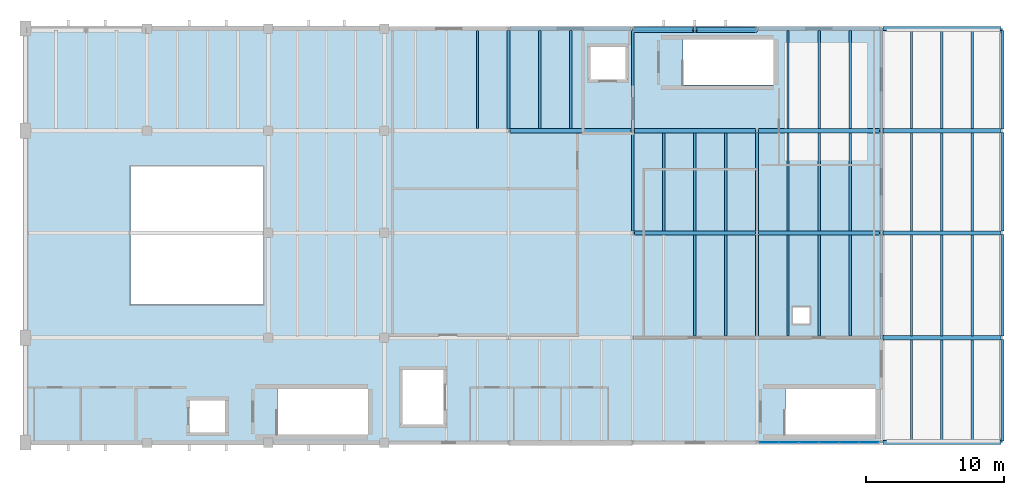
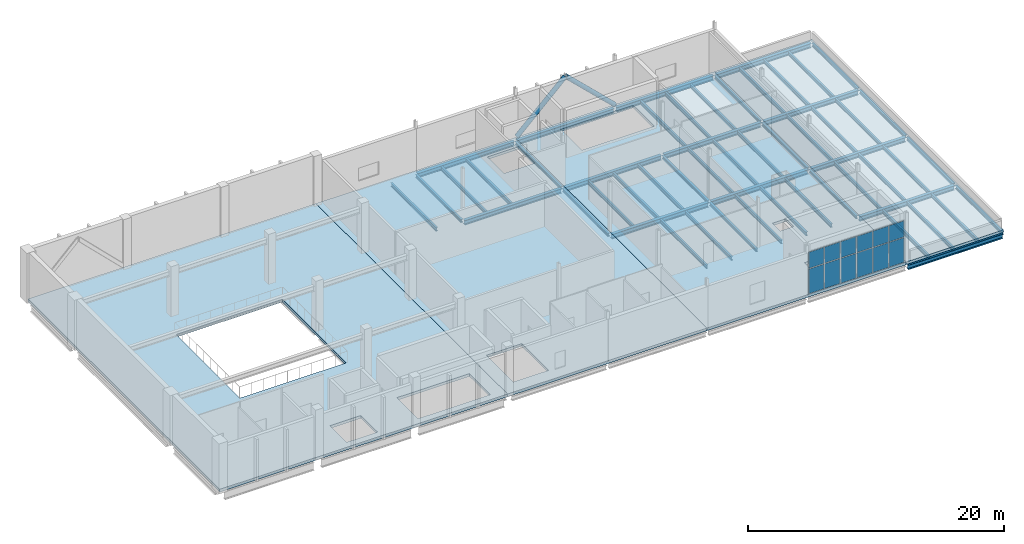
# One storey, part 8 of 14: 54 beams, 12 plates, 4 slabs, 2 members, 1 element without a shape of its own.
"""IFC4 building model written with IfcOpenShell, lengths in metres."""

from ifc_helpers import new_model, si_unit, direction, frame, origin, origin_2d, place, context, subcontext, project, spatial, polyline, rectangle, hollow_circle, i_section, outline, extrude, material, layer, layer_set, material_profile, profile_set, type_object, element, aggregate, save


model = new_model("IFC4")

# Units and contexts
model_context = context("Model", 3, precision=1e-05, world=origin(), true_north=direction((0.0, 1.0)))
body_context = subcontext(model_context, "Body", "Model", "MODEL_VIEW")
ifc_project = project(units=[si_unit("LENGTHUNIT", "METRE"), si_unit("AREAUNIT", "SQUARE_METRE"), si_unit("VOLUMEUNIT", "CUBIC_METRE"), si_unit("PLANEANGLEUNIT", "RADIAN"), si_unit("MASSUNIT", "GRAM", prefix="KILO")], contexts=[model_context])

# Site, building, storey
site_placement = place(None, origin())
site = spatial("IfcSite", under=ifc_project, at=site_placement, CompositionType="ELEMENT")
building_placement = place(site_placement, origin())
building = spatial("IfcBuilding", under=site, at=building_placement, Name="Shengluoqiao Park Theatre", CompositionType="ELEMENT")
storey_placement = place(building_placement, frame((0.0, 0.0, 23.800048828125)))
storey = spatial("IfcBuildingStorey", under=building, at=storey_placement, Name="L05", CompositionType="ELEMENT", Elevation=23.800048828125)

# Beams
ifc_material_1 = material(Name="Steel Q355", Category="steel")
ifc_material_profile_1 = material_profile(ifc_material_1, i_section(OverallWidth=0.199951171875, OverallDepth=0.2939453125, WebThickness=0.008056640625, FlangeThickness=0.011962890625, FilletRadius=0.01611328125, at=origin_2d()), Name="HM 294x200x8x12")
ifc_profile_set_1 = profile_set([ifc_material_profile_1], Name="Steel Q355")
beam_type_1 = type_object("IfcBeamType", Name="STR-BM-G-HM294", PredefinedType="BEAM", material=ifc_profile_set_1)
beam_1_placement = place(storey_placement, frame((121.39990234375, 106.718994140625, -0.406982421875), z_axis=(0.0, 1.0, 0.0), x_axis=(-1.0, 0.0, 0.0)))
element("IfcBeam", 1, at=beam_1_placement, inside=storey, type_object=beam_type_1, Name="L05 Transverse Girder 01669", PredefinedType="BEAM", context=body_context, shape_type="SweptSolid", body=[
    extrude(i_section(OverallWidth=0.199951171875, OverallDepth=0.2939453125, WebThickness=0.008056640625, FlangeThickness=0.011962890625, FilletRadius=0.01611328125, at=origin_2d()), origin(), (0.0, 0.0, 1.0), 7.162109375),
])
beam_2_placement = place(storey_placement, frame((130.39990234375, 99.319091796875, -0.406982421875), z_axis=(0.0, 1.0, 0.0), x_axis=(-1.0, 0.0, 0.0)))
element("IfcBeam", 2, at=beam_2_placement, inside=storey, type_object=beam_type_1, Name="L05 Transverse Girder 01672", PredefinedType="BEAM", context=body_context, shape_type="SweptSolid", body=[
    extrude(i_section(OverallWidth=0.199951171875, OverallDepth=0.2939453125, WebThickness=0.008056640625, FlangeThickness=0.011962890625, FilletRadius=0.01611328125, at=origin_2d()), origin(), (0.0, 0.0, 1.0), 7.161865234375),
])
beam_3_placement = place(storey_placement, frame((130.39990234375, 106.718994140625, -0.406982421875), z_axis=(0.0, 1.0, 0.0), x_axis=(-1.0, 0.0, 0.0)))
element("IfcBeam", 3, at=beam_3_placement, inside=storey, type_object=beam_type_1, Name="L05 Transverse Girder 01673", PredefinedType="BEAM", context=body_context, shape_type="SweptSolid", body=[
    extrude(i_section(OverallWidth=0.199951171875, OverallDepth=0.2939453125, WebThickness=0.008056640625, FlangeThickness=0.011962890625, FilletRadius=0.01611328125, at=origin_2d()), origin(), (0.0, 0.0, 1.0), 7.162109375),
])
beam_4_placement = place(storey_placement, frame((139.39990234375, 91.718994140625, -0.406982421875), z_axis=(0.0, 1.0, 0.0), x_axis=(-1.0, 0.0, 0.0)))
element("IfcBeam", 4, at=beam_4_placement, inside=storey, type_object=beam_type_1, Name="L05 Transverse Girder 01695", PredefinedType="BEAM", context=body_context, shape_type="SweptSolid", body=[
    extrude(i_section(OverallWidth=0.199951171875, OverallDepth=0.2939453125, WebThickness=0.008056640625, FlangeThickness=0.011962890625, FilletRadius=0.01611328125, at=origin_2d()), origin(), (0.0, 0.0, 1.0), 7.362060546875),
])
beam_5_placement = place(storey_placement, frame((139.39990234375, 99.319091796875, -0.406982421875), z_axis=(0.0, 1.0, 0.0), x_axis=(-1.0, 0.0, 0.0)))
element("IfcBeam", 5, at=beam_5_placement, inside=storey, type_object=beam_type_1, Name="L05 Transverse Girder 01696", PredefinedType="BEAM", context=body_context, shape_type="SweptSolid", body=[
    extrude(i_section(OverallWidth=0.199951171875, OverallDepth=0.2939453125, WebThickness=0.008056640625, FlangeThickness=0.011962890625, FilletRadius=0.01611328125, at=origin_2d()), origin(), (0.0, 0.0, 1.0), 7.161865234375),
])
beam_6_placement = place(storey_placement, frame((148.39990234375, 91.718994140625, -0.406982421875), z_axis=(0.0, 1.0, 0.0), x_axis=(-1.0, 0.0, 0.0)))
element("IfcBeam", 6, at=beam_6_placement, inside=storey, type_object=beam_type_1, Name="L05 Transverse Girder 01698", PredefinedType="BEAM", context=body_context, shape_type="SweptSolid", body=[
    extrude(i_section(OverallWidth=0.199951171875, OverallDepth=0.2939453125, WebThickness=0.008056640625, FlangeThickness=0.011962890625, FilletRadius=0.01611328125, at=origin_2d()), origin(), (0.0, 0.0, 1.0), 7.362060546875),
])
beam_7_placement = place(storey_placement, frame((148.39990234375, 99.319091796875, -0.406982421875), z_axis=(0.0, 1.0, 0.0), x_axis=(-1.0, 0.0, 0.0)))
element("IfcBeam", 7, at=beam_7_placement, inside=storey, type_object=beam_type_1, Name="L05 Transverse Girder 01699", PredefinedType="BEAM", context=body_context, shape_type="SweptSolid", body=[
    extrude(i_section(OverallWidth=0.199951171875, OverallDepth=0.2939453125, WebThickness=0.008056640625, FlangeThickness=0.011962890625, FilletRadius=0.01611328125, at=origin_2d()), origin(), (0.0, 0.0, 1.0), 7.161865234375),
])
beam_8_placement = place(storey_placement, frame((148.39990234375, 106.718994140625, -0.406982421875), z_axis=(0.0, 1.0, 0.0), x_axis=(-1.0, 0.0, 0.0)))
element("IfcBeam", 8, at=beam_8_placement, inside=storey, type_object=beam_type_1, Name="L05 Transverse Girder 01700", PredefinedType="BEAM", context=body_context, shape_type="SweptSolid", body=[
    extrude(i_section(OverallWidth=0.199951171875, OverallDepth=0.2939453125, WebThickness=0.008056640625, FlangeThickness=0.011962890625, FilletRadius=0.01611328125, at=origin_2d()), origin(), (0.0, 0.0, 1.0), 7.162109375),
])
for number, where, z_axis, x_axis, name in (
    (9, (157.199951171875, 84.118896484375, -0.39697265625), (0.0, 1.0, 0.0), (-1.0, 0.0, 0.0), "L05 Transverse Girder 02026"),
    (10, (157.199951171875, 91.718994140625, -0.39697265625), (0.0, 1.0, 0.0), (-1.0, 0.0, 0.0), "L05 Transverse Girder 02027"),
):
    element("IfcBeam", number, at=place(storey_placement, frame(where, z_axis=z_axis, x_axis=x_axis)), inside=storey, type_object=beam_type_1, Name=name, PredefinedType="BEAM", context=body_context, shape_type="SweptSolid", body=[
        extrude(i_section(OverallWidth=0.199951171875, OverallDepth=0.2939453125, WebThickness=0.008056640625, FlangeThickness=0.011962890625, FilletRadius=0.01611328125, at=origin_2d()), origin(), (0.0, 0.0, 1.0), 7.362060546875),
    ])
beam_9_placement = place(storey_placement, frame((157.199951171875, 99.319091796875, -0.39697265625), z_axis=(0.0, 1.0, 0.0), x_axis=(-1.0, 0.0, 0.0)))
element("IfcBeam", 11, at=beam_9_placement, inside=storey, type_object=beam_type_1, Name="L05 Transverse Girder 02028", PredefinedType="BEAM", context=body_context, shape_type="SweptSolid", body=[
    extrude(i_section(OverallWidth=0.199951171875, OverallDepth=0.2939453125, WebThickness=0.008056640625, FlangeThickness=0.011962890625, FilletRadius=0.01611328125, at=origin_2d()), origin(), (0.0, 0.0, 1.0), 7.161865234375),
])
beam_10_placement = place(storey_placement, frame((157.199951171875, 106.718994140625, -0.39697265625), z_axis=(0.0, 1.0, 0.0), x_axis=(-1.0, 0.0, 0.0)))
element("IfcBeam", 12, at=beam_10_placement, inside=storey, type_object=beam_type_1, Name="L05 Transverse Girder 02029", PredefinedType="BEAM", context=body_context, shape_type="SweptSolid", body=[
    extrude(i_section(OverallWidth=0.199951171875, OverallDepth=0.2939453125, WebThickness=0.008056640625, FlangeThickness=0.011962890625, FilletRadius=0.01611328125, at=origin_2d()), origin(), (0.0, 0.0, 1.0), 7.162109375),
])
ifc_material_profile_2 = material_profile(ifc_material_1, i_section(OverallWidth=0.300048828125, OverallDepth=0.43994140625, WebThickness=0.010986328125, FlangeThickness=0.01806640625, FilletRadius=0.02001953125, at=origin_2d()), Name="HM 440x300x11x18")
ifc_profile_set_2 = profile_set([ifc_material_profile_2], Name="Steel Q355")
beam_type_2 = type_object("IfcBeamType", Name="STR-BM-G-HM440", PredefinedType="BEAM", material=ifc_profile_set_2)
for number, where, z_axis, x_axis, name in (
    (13, (121.521484375, 106.60009765625, -0.47998046875), (1.0, 0.0, 0.0), (0.0, 1.0, 0.0), "L05 Primary Girder 01664"),
    (14, (121.521484375, 114.0, -0.47998046875), (1.0, 0.0, 0.0), (0.0, 1.0, 0.0), "L05 Primary Girder 01666"),
    (15, (130.521484375, 99.199951171875, -0.47998046875), (1.0, 0.0, 0.0), (0.0, 1.0, 0.0), "L05 Primary Girder 01688"),
    (16, (139.521484375, 99.199951171875, -0.47998046875), (1.0, 0.0, 0.0), (0.0, 1.0, 0.0), "L05 Primary Girder 01689"),
    (17, (130.521484375, 106.60009765625, -0.47998046875), (1.0, 0.0, 0.0), (0.0, 1.0, 0.0), "L05 Primary Girder 01690"),
    (18, (139.521484375, 106.60009765625, -0.47998046875), (1.0, 0.0, 0.0), (0.0, 1.0, 0.0), "L05 Primary Girder 01691"),
    (19, (130.521484375, 114.0, -0.47998046875), (1.0, 0.0, 0.0), (0.0, 1.0, 0.0), "L05 Primary Girder 01692"),
    (20, (139.521484375, 114.0, -0.47998046875), (1.0, 0.0, 0.0), (0.0, 1.0, 0.0), "L05 Primary Girder 01693"),
):
    element("IfcBeam", number, at=place(storey_placement, frame(where, z_axis=z_axis, x_axis=x_axis)), inside=storey, type_object=beam_type_2, Name=name, PredefinedType="BEAM", context=body_context, shape_type="SweptSolid", body=[
        extrude(i_section(OverallWidth=0.300048828125, OverallDepth=0.43994140625, WebThickness=0.010986328125, FlangeThickness=0.01806640625, FilletRadius=0.02001953125, at=origin_2d()), origin(), (0.0, 0.0, 1.0), 8.757080078125),
    ])
for number, where, z_axis, x_axis, name in (
    (21, (148.521484375, 84.0, -0.47998046875), (1.0, 0.0, 0.0), (0.0, 1.0, 0.0), "L05 Primary Girder 02021"),
    (22, (148.521484375, 91.60009765625, -0.47998046875), (1.0, 0.0, 0.0), (0.0, 1.0, 0.0), "L05 Primary Girder 02022"),
    (23, (148.521484375, 99.199951171875, -0.47998046875), (1.0, 0.0, 0.0), (0.0, 1.0, 0.0), "L05 Primary Girder 02023"),
    (24, (148.521484375, 106.60009765625, -0.47998046875), (1.0, 0.0, 0.0), (0.0, 1.0, 0.0), "L05 Primary Girder 02024"),
    (25, (148.521484375, 114.0, -0.47998046875), (1.0, 0.0, 0.0), (0.0, 1.0, 0.0), "L05 Primary Girder 02025"),
):
    element("IfcBeam", number, at=place(storey_placement, frame(where, z_axis=z_axis, x_axis=x_axis)), inside=storey, type_object=beam_type_2, Name=name, PredefinedType="BEAM", context=body_context, shape_type="SweptSolid", body=[
        extrude(i_section(OverallWidth=0.300048828125, OverallDepth=0.43994140625, WebThickness=0.010986328125, FlangeThickness=0.01806640625, FilletRadius=0.02001953125, at=origin_2d()), origin(), (0.0, 0.0, 1.0), 8.55712890625),
    ])
ifc_material_profile_3 = material_profile(ifc_material_1, i_section(OverallWidth=0.175048828125, OverallDepth=0.35009765625, WebThickness=0.007080078125, FlangeThickness=0.010986328125, FilletRadius=0.013916015625, at=origin_2d()), Name="HN 350x175x7x11")
ifc_profile_set_3 = profile_set([ifc_material_profile_3], Name="Steel Q355")
beam_type_3 = type_object("IfcBeamType", Name="STR-BM-J-HN350", PredefinedType="JOIST", material=ifc_profile_set_3)
for number, where, z_axis, x_axis, name in (
    (26, (119.14990234375, 106.7451171875, -0.43505859375), (0.0, 1.0, 0.0), (-1.0, 0.0, 0.0), "L05 Composite Joist 01678"),
    (27, (123.64990234375, 106.7451171875, -0.43505859375), (0.0, 1.0, 0.0), (-1.0, 0.0, 0.0), "L05 Composite Joist 01682"),
    (28, (125.89990234375, 106.7451171875, -0.43505859375), (0.0, 1.0, 0.0), (-1.0, 0.0, 0.0), "L05 Composite Joist 01683"),
):
    element("IfcBeam", number, at=place(storey_placement, frame(where, z_axis=z_axis, x_axis=x_axis)), inside=storey, type_object=beam_type_3, Name=name, PredefinedType="JOIST", context=body_context, shape_type="SweptSolid", body=[
        extrude(i_section(OverallWidth=0.175048828125, OverallDepth=0.35009765625, WebThickness=0.007080078125, FlangeThickness=0.010986328125, FilletRadius=0.013916015625, at=origin_2d()), origin(), (0.0, 0.0, 1.0), 7.10986328125),
    ])
for number, where, z_axis, x_axis, name in (
    (29, (134.89990234375, 91.7451171875, -0.43505859375), (0.0, 1.0, 0.0), (-1.0, 0.0, 0.0), "L05 Composite Joist 01705"),
    (30, (137.14990234375, 91.7451171875, -0.43505859375), (0.0, 1.0, 0.0), (-1.0, 0.0, 0.0), "L05 Composite Joist 01706"),
):
    element("IfcBeam", number, at=place(storey_placement, frame(where, z_axis=z_axis, x_axis=x_axis)), inside=storey, type_object=beam_type_3, Name=name, PredefinedType="JOIST", context=body_context, shape_type="SweptSolid", body=[
        extrude(i_section(OverallWidth=0.175048828125, OverallDepth=0.35009765625, WebThickness=0.007080078125, FlangeThickness=0.010986328125, FilletRadius=0.013916015625, at=origin_2d()), origin(), (0.0, 0.0, 1.0), 7.309814453125),
    ])
for number, where, z_axis, x_axis, name in (
    (31, (132.64990234375, 99.344970703125, -0.43505859375), (0.0, 1.0, 0.0), (-1.0, 0.0, 0.0), "L05 Composite Joist 01707"),
    (32, (134.89990234375, 99.344970703125, -0.43505859375), (0.0, 1.0, 0.0), (-1.0, 0.0, 0.0), "L05 Composite Joist 01708"),
    (33, (137.14990234375, 99.344970703125, -0.43505859375), (0.0, 1.0, 0.0), (-1.0, 0.0, 0.0), "L05 Composite Joist 01709"),
):
    element("IfcBeam", number, at=place(storey_placement, frame(where, z_axis=z_axis, x_axis=x_axis)), inside=storey, type_object=beam_type_3, Name=name, PredefinedType="JOIST", context=body_context, shape_type="SweptSolid", body=[
        extrude(i_section(OverallWidth=0.175048828125, OverallDepth=0.35009765625, WebThickness=0.007080078125, FlangeThickness=0.010986328125, FilletRadius=0.013916015625, at=origin_2d()), origin(), (0.0, 0.0, 1.0), 7.110107421875),
    ])
for number, where, z_axis, x_axis, name in (
    (34, (141.64990234375, 91.7451171875, -0.43505859375), (0.0, 1.0, 0.0), (-1.0, 0.0, 0.0), "L05 Composite Joist 01710"),
    (35, (143.89990234375, 91.7451171875, -0.43505859375), (0.0, 1.0, 0.0), (-1.0, 0.0, 0.0), "L05 Composite Joist 01711"),
    (36, (146.14990234375, 91.7451171875, -0.43505859375), (0.0, 1.0, 0.0), (-1.0, 0.0, 0.0), "L05 Composite Joist 01712"),
):
    element("IfcBeam", number, at=place(storey_placement, frame(where, z_axis=z_axis, x_axis=x_axis)), inside=storey, type_object=beam_type_3, Name=name, PredefinedType="JOIST", context=body_context, shape_type="SweptSolid", body=[
        extrude(i_section(OverallWidth=0.175048828125, OverallDepth=0.35009765625, WebThickness=0.007080078125, FlangeThickness=0.010986328125, FilletRadius=0.013916015625, at=origin_2d()), origin(), (0.0, 0.0, 1.0), 7.309814453125),
    ])
for number, where, z_axis, x_axis, name in (
    (37, (141.64990234375, 99.344970703125, -0.43505859375), (0.0, 1.0, 0.0), (-1.0, 0.0, 0.0), "L05 Composite Joist 01713"),
    (38, (143.89990234375, 99.344970703125, -0.43505859375), (0.0, 1.0, 0.0), (-1.0, 0.0, 0.0), "L05 Composite Joist 01714"),
    (39, (146.14990234375, 99.344970703125, -0.43505859375), (0.0, 1.0, 0.0), (-1.0, 0.0, 0.0), "L05 Composite Joist 01715"),
):
    element("IfcBeam", number, at=place(storey_placement, frame(where, z_axis=z_axis, x_axis=x_axis)), inside=storey, type_object=beam_type_3, Name=name, PredefinedType="JOIST", context=body_context, shape_type="SweptSolid", body=[
        extrude(i_section(OverallWidth=0.175048828125, OverallDepth=0.35009765625, WebThickness=0.007080078125, FlangeThickness=0.010986328125, FilletRadius=0.013916015625, at=origin_2d()), origin(), (0.0, 0.0, 1.0), 7.110107421875),
    ])
for number, where, z_axis, x_axis, name in (
    (40, (141.64990234375, 106.7451171875, -0.43505859375), (0.0, 1.0, 0.0), (-1.0, 0.0, 0.0), "L05 Composite Joist 01716"),
    (41, (143.89990234375, 106.7451171875, -0.43505859375), (0.0, 1.0, 0.0), (-1.0, 0.0, 0.0), "L05 Composite Joist 01717"),
    (42, (146.14990234375, 106.7451171875, -0.43505859375), (0.0, 1.0, 0.0), (-1.0, 0.0, 0.0), "L05 Composite Joist 01718"),
):
    element("IfcBeam", number, at=place(storey_placement, frame(where, z_axis=z_axis, x_axis=x_axis)), inside=storey, type_object=beam_type_3, Name=name, PredefinedType="JOIST", context=body_context, shape_type="SweptSolid", body=[
        extrude(i_section(OverallWidth=0.175048828125, OverallDepth=0.35009765625, WebThickness=0.007080078125, FlangeThickness=0.010986328125, FilletRadius=0.013916015625, at=origin_2d()), origin(), (0.0, 0.0, 1.0), 7.10986328125),
    ])
for number, where, z_axis, x_axis, name in (
    (43, (150.60009765625, 84.14501953125, -0.425048828125), (0.0, 1.0, 0.0), (-1.0, 0.0, 0.0), "L05 Composite Joist 02030"),
    (44, (152.800048828125, 84.14501953125, -0.425048828125), (0.0, 1.0, 0.0), (-1.0, 0.0, 0.0), "L05 Composite Joist 02031"),
    (45, (155.0, 84.14501953125, -0.425048828125), (0.0, 1.0, 0.0), (-1.0, 0.0, 0.0), "L05 Composite Joist 02032"),
):
    element("IfcBeam", number, at=place(storey_placement, frame(where, z_axis=z_axis, x_axis=x_axis)), inside=storey, type_object=beam_type_3, Name=name, PredefinedType="JOIST", context=body_context, shape_type="SweptSolid", body=[
        extrude(i_section(OverallWidth=0.175048828125, OverallDepth=0.35009765625, WebThickness=0.007080078125, FlangeThickness=0.010986328125, FilletRadius=0.013916015625, at=origin_2d()), origin(), (0.0, 0.0, 1.0), 7.31005859375),
    ])
for number, where, z_axis, x_axis, name in (
    (46, (150.60009765625, 91.7451171875, -0.425048828125), (0.0, 1.0, 0.0), (-1.0, 0.0, 0.0), "L05 Composite Joist 02033"),
    (47, (152.800048828125, 91.7451171875, -0.425048828125), (0.0, 1.0, 0.0), (-1.0, 0.0, 0.0), "L05 Composite Joist 02034"),
    (48, (155.0, 91.7451171875, -0.425048828125), (0.0, 1.0, 0.0), (-1.0, 0.0, 0.0), "L05 Composite Joist 02035"),
):
    element("IfcBeam", number, at=place(storey_placement, frame(where, z_axis=z_axis, x_axis=x_axis)), inside=storey, type_object=beam_type_3, Name=name, PredefinedType="JOIST", context=body_context, shape_type="SweptSolid", body=[
        extrude(i_section(OverallWidth=0.175048828125, OverallDepth=0.35009765625, WebThickness=0.007080078125, FlangeThickness=0.010986328125, FilletRadius=0.013916015625, at=origin_2d()), origin(), (0.0, 0.0, 1.0), 7.309814453125),
    ])
for number, where, z_axis, x_axis, name in (
    (49, (150.60009765625, 99.344970703125, -0.425048828125), (0.0, 1.0, 0.0), (-1.0, 0.0, 0.0), "L05 Composite Joist 02036"),
    (50, (152.800048828125, 99.344970703125, -0.425048828125), (0.0, 1.0, 0.0), (-1.0, 0.0, 0.0), "L05 Composite Joist 02037"),
    (51, (155.0, 99.344970703125, -0.425048828125), (0.0, 1.0, 0.0), (-1.0, 0.0, 0.0), "L05 Composite Joist 02038"),
):
    element("IfcBeam", number, at=place(storey_placement, frame(where, z_axis=z_axis, x_axis=x_axis)), inside=storey, type_object=beam_type_3, Name=name, PredefinedType="JOIST", context=body_context, shape_type="SweptSolid", body=[
        extrude(i_section(OverallWidth=0.175048828125, OverallDepth=0.35009765625, WebThickness=0.007080078125, FlangeThickness=0.010986328125, FilletRadius=0.013916015625, at=origin_2d()), origin(), (0.0, 0.0, 1.0), 7.110107421875),
    ])
for number, where, z_axis, x_axis, name in (
    (52, (150.60009765625, 106.7451171875, -0.425048828125), (0.0, 1.0, 0.0), (-1.0, 0.0, 0.0), "L05 Composite Joist 02039"),
    (53, (152.800048828125, 106.7451171875, -0.425048828125), (0.0, 1.0, 0.0), (-1.0, 0.0, 0.0), "L05 Composite Joist 02040"),
    (54, (155.0, 106.7451171875, -0.425048828125), (0.0, 1.0, 0.0), (-1.0, 0.0, 0.0), "L05 Composite Joist 02041"),
):
    element("IfcBeam", number, at=place(storey_placement, frame(where, z_axis=z_axis, x_axis=x_axis)), inside=storey, type_object=beam_type_3, Name=name, PredefinedType="JOIST", context=body_context, shape_type="SweptSolid", body=[
        extrude(i_section(OverallWidth=0.175048828125, OverallDepth=0.35009765625, WebThickness=0.007080078125, FlangeThickness=0.010986328125, FilletRadius=0.013916015625, at=origin_2d()), origin(), (0.0, 0.0, 1.0), 7.10986328125),
    ])

# Members
ifc_material_2 = material(Name="Steel Q390", Category="steel")
ifc_material_profile_4 = material_profile(ifc_material_2, hollow_circle(Radius=0.202880859375, WallThickness=0.01611328125, at=origin_2d()), Name="CHS 406x16")
ifc_profile_set_4 = profile_set([ifc_material_profile_4], Name="Steel Q390")
member_type = type_object("IfcMemberType", Name="STR-MEM-BRC-406", PredefinedType="BRACE", material=ifc_profile_set_4)
for number, where, z_axis, x_axis, name in (
    (55, (130.489990234375, 113.919921875, 0.106201171875), (0.720428514703, 0.0, 0.693529202847), (0.0, 1.0, 0.0), "L05 Chevron Brace 0023"),
    (56, (139.31005859375, 113.919921875, 0.106201171875), (-0.720428514703, 0.0, 0.693529202847), (0.0, -1.0, 0.0), "L05 Chevron Brace 0024"),
):
    element("IfcMember", number, at=place(storey_placement, frame(where, z_axis=z_axis, x_axis=x_axis)), inside=storey, type_object=member_type, Name=name, PredefinedType="BRACE", context=body_context, shape_type="SweptSolid", body=[
        extrude(hollow_circle(Radius=0.202880859375, WallThickness=0.01611328125, at=origin_2d()), origin(), (0.0, 0.0, 1.0), 6.090087890625),
    ])

# Curtain wall, plates
ifc_material_3 = material(Name="Aluminium 6063-T6", Category="aluminium")
curtain_wall_type = type_object("IfcCurtainWallType", Name="ENV-CW-CLERE", PredefinedType="NOTDEFINED", material=ifc_material_3)
curtain_wall_placement = place(storey_placement, origin())
curtain_wall = element("IfcCurtainWall", 57, at=curtain_wall_placement, inside=storey, type_object=curtain_wall_type, Name="L05 Curtain Wall CWX-L05-0202", PredefinedType="NOTDEFINED")
ifc_material_4 = material(Name="Insulated glass", Category="glass")
ifc_layer_1 = layer(ifc_material_4, 0.0380859375, Name="Insulated glass")
ifc_layer_set_1 = layer_set([ifc_layer_1], Name="Insulated glass")
plate_type = type_object("IfcPlateType", Name="ENV-GLZ-GL-38", PredefinedType="CURTAIN_PANEL", material=ifc_layer_set_1)
plate_1_placement = place(storey_placement, frame((140.2724609375, 84.0, 0.06005859375), z_axis=(0.0, 0.0, 1.0), x_axis=(1.0, 0.0, 0.0)))
plate_1 = element("IfcPlate", 58, at=plate_1_placement, type_object=plate_type, Name="CW-06 panel 1.1", PredefinedType="CURTAIN_PANEL", context=body_context, shape_type="SweptSolid", body=[
    extrude(rectangle(XDim=1.366943359375, YDim=0.0380859375, at=origin_2d()), origin(), (0.0, 0.0, 1.0), 2.363037109375),
])
plate_2_placement = place(storey_placement, frame((140.2724609375, 84.0, 2.48291015625), z_axis=(0.0, 0.0, 1.0), x_axis=(1.0, 0.0, 0.0)))
plate_2 = element("IfcPlate", 59, at=plate_2_placement, type_object=plate_type, Name="CW-06 panel 1.2", PredefinedType="CURTAIN_PANEL", context=body_context, shape_type="SweptSolid", body=[
    extrude(rectangle(XDim=1.366943359375, YDim=0.0380859375, at=origin_2d()), origin(), (0.0, 0.0, 1.0), 1.544921875),
])
plate_3_placement = place(storey_placement, frame((141.714599609375, 84.0, 0.06005859375), z_axis=(0.0, 0.0, 1.0), x_axis=(1.0, 0.0, 0.0)))
plate_3 = element("IfcPlate", 60, at=plate_3_placement, type_object=plate_type, Name="CW-06 panel 2.1", PredefinedType="CURTAIN_PANEL", context=body_context, shape_type="SweptSolid", body=[
    extrude(rectangle(XDim=1.39697265625, YDim=0.0380859375, at=origin_2d()), origin(), (0.0, 0.0, 1.0), 2.363037109375),
])
plate_4_placement = place(storey_placement, frame((141.714599609375, 84.0, 2.48291015625), z_axis=(0.0, 0.0, 1.0), x_axis=(1.0, 0.0, 0.0)))
plate_4 = element("IfcPlate", 61, at=plate_4_placement, type_object=plate_type, Name="CW-06 panel 2.2", PredefinedType="CURTAIN_PANEL", context=body_context, shape_type="SweptSolid", body=[
    extrude(rectangle(XDim=1.39697265625, YDim=0.0380859375, at=origin_2d()), origin(), (0.0, 0.0, 1.0), 1.544921875),
])
plate_5_placement = place(storey_placement, frame((143.17138671875, 84.0, 0.06005859375), z_axis=(0.0, 0.0, 1.0), x_axis=(1.0, 0.0, 0.0)))
plate_5 = element("IfcPlate", 62, at=plate_5_placement, type_object=plate_type, Name="CW-06 panel 3.1", PredefinedType="CURTAIN_PANEL", context=body_context, shape_type="SweptSolid", body=[
    extrude(rectangle(XDim=1.39697265625, YDim=0.0380859375, at=origin_2d()), origin(), (0.0, 0.0, 1.0), 2.363037109375),
])
plate_6_placement = place(storey_placement, frame((143.17138671875, 84.0, 2.48291015625), z_axis=(0.0, 0.0, 1.0), x_axis=(1.0, 0.0, 0.0)))
plate_6 = element("IfcPlate", 63, at=plate_6_placement, type_object=plate_type, Name="CW-06 panel 3.2", PredefinedType="CURTAIN_PANEL", context=body_context, shape_type="SweptSolid", body=[
    extrude(rectangle(XDim=1.39697265625, YDim=0.0380859375, at=origin_2d()), origin(), (0.0, 0.0, 1.0), 1.544921875),
])
plate_7_placement = place(storey_placement, frame((144.62841796875, 84.0, 0.06005859375), z_axis=(0.0, 0.0, 1.0), x_axis=(1.0, 0.0, 0.0)))
plate_7 = element("IfcPlate", 64, at=plate_7_placement, type_object=plate_type, Name="CW-06 panel 4.1", PredefinedType="CURTAIN_PANEL", context=body_context, shape_type="SweptSolid", body=[
    extrude(rectangle(XDim=1.39697265625, YDim=0.0380859375, at=origin_2d()), origin(), (0.0, 0.0, 1.0), 2.363037109375),
])
plate_8_placement = place(storey_placement, frame((144.62841796875, 84.0, 2.48291015625), z_axis=(0.0, 0.0, 1.0), x_axis=(1.0, 0.0, 0.0)))
plate_8 = element("IfcPlate", 65, at=plate_8_placement, type_object=plate_type, Name="CW-06 panel 4.2", PredefinedType="CURTAIN_PANEL", context=body_context, shape_type="SweptSolid", body=[
    extrude(rectangle(XDim=1.39697265625, YDim=0.0380859375, at=origin_2d()), origin(), (0.0, 0.0, 1.0), 1.544921875),
])
plate_9_placement = place(storey_placement, frame((146.08544921875, 84.0, 0.06005859375), z_axis=(0.0, 0.0, 1.0), x_axis=(1.0, 0.0, 0.0)))
plate_9 = element("IfcPlate", 66, at=plate_9_placement, type_object=plate_type, Name="CW-06 panel 5.1", PredefinedType="CURTAIN_PANEL", context=body_context, shape_type="SweptSolid", body=[
    extrude(rectangle(XDim=1.39697265625, YDim=0.0380859375, at=origin_2d()), origin(), (0.0, 0.0, 1.0), 2.363037109375),
])
plate_10_placement = place(storey_placement, frame((146.08544921875, 84.0, 2.48291015625), z_axis=(0.0, 0.0, 1.0), x_axis=(1.0, 0.0, 0.0)))
plate_10 = element("IfcPlate", 67, at=plate_10_placement, type_object=plate_type, Name="CW-06 panel 5.2", PredefinedType="CURTAIN_PANEL", context=body_context, shape_type="SweptSolid", body=[
    extrude(rectangle(XDim=1.39697265625, YDim=0.0380859375, at=origin_2d()), origin(), (0.0, 0.0, 1.0), 1.544921875),
])
plate_11_placement = place(storey_placement, frame((147.527587890625, 84.0, 0.06005859375), z_axis=(0.0, 0.0, 1.0), x_axis=(1.0, 0.0, 0.0)))
plate_11 = element("IfcPlate", 68, at=plate_11_placement, type_object=plate_type, Name="CW-06 panel 6.1", PredefinedType="CURTAIN_PANEL", context=body_context, shape_type="SweptSolid", body=[
    extrude(rectangle(XDim=1.366943359375, YDim=0.0380859375, at=origin_2d()), origin(), (0.0, 0.0, 1.0), 2.363037109375),
])
plate_12_placement = place(storey_placement, frame((147.527587890625, 84.0, 2.48291015625), z_axis=(0.0, 0.0, 1.0), x_axis=(1.0, 0.0, 0.0)))
plate_12 = element("IfcPlate", 69, at=plate_12_placement, type_object=plate_type, Name="CW-06 panel 6.2", PredefinedType="CURTAIN_PANEL", context=body_context, shape_type="SweptSolid", body=[
    extrude(rectangle(XDim=1.366943359375, YDim=0.0380859375, at=origin_2d()), origin(), (0.0, 0.0, 1.0), 1.544921875),
])
aggregate(curtain_wall, [plate_1, plate_2, plate_3, plate_4, plate_5, plate_6, plate_7, plate_8, plate_9, plate_10, plate_11, plate_12])

# Slabs
ifc_material_5 = material(Name="Concrete C35", Category="concrete")
ifc_layer_2 = layer(ifc_material_5, 0.260009765625, Name="Concrete C35")
ifc_layer_set_2 = layer_set([ifc_layer_2], Name="Concrete C35")
slab_type_1 = type_object("IfcSlabType", Name="STR-SLB-FL260", PredefinedType="FLOOR", material=ifc_layer_set_2)
slab_1_placement = place(storey_placement, frame((0.0, 0.0, -0.260009765625)))
element("IfcSlab", 70, at=slab_1_placement, inside=storey, type_object=slab_type_1, Name="Floor Slab L05-V2-GRID", PredefinedType="FLOOR", context=body_context, shape_type="SweptSolid", body=[
    extrude(outline(polyline([(86.39990234375, 84.0), (86.39990234375, 114.0), (112.39990234375, 114.0), (112.39990234375, 84.0), (86.39990234375, 84.0)]), holes=[polyline([(98.199951171875, 87.199951171875), (98.199951171875, 84.60009765625), (101.0, 84.60009765625), (101.0, 87.199951171875), (98.199951171875, 87.199951171875)]), polyline([(111.199951171875, 87.89990234375), (104.654052734375, 87.89990234375), (104.654052734375, 84.60009765625), (111.199951171875, 84.60009765625), (111.199951171875, 87.89990234375)]), polyline([(94.0, 104.0), (94.0, 94.0), (103.60009765625, 94.0), (103.60009765625, 104.0), (94.0, 104.0)])]), origin(), (0.0, 0.0, 1.0), 0.260009765625),
])
slab_2_placement = place(storey_placement, frame((0.0, 0.0, -0.260009765625)))
element("IfcSlab", 71, at=slab_2_placement, inside=storey, type_object=slab_type_1, Name="Floor Slab L05-V6-ADMW", PredefinedType="FLOOR", context=body_context, shape_type="SweptSolid", body=[
    extrude(outline(polyline([(112.39990234375, 84.0), (112.39990234375, 114.0), (130.39990234375, 114.0), (130.39990234375, 84.0), (112.39990234375, 84.0)]), holes=[polyline([(113.60009765625, 89.39990234375), (113.60009765625, 85.199951171875), (116.800048828125, 85.199951171875), (116.800048828125, 89.39990234375), (113.60009765625, 89.39990234375)]), polyline([(127.199951171875, 112.800048828125), (127.199951171875, 110.199951171875), (130.0, 110.199951171875), (130.0, 112.800048828125), (127.199951171875, 112.800048828125)])]), origin(), (0.0, 0.0, 1.0), 0.260009765625),
])
slab_3_placement = place(storey_placement, frame((0.0, 0.0, -0.260009765625)))
element("IfcSlab", 72, at=slab_3_placement, inside=storey, type_object=slab_type_1, Name="Floor Slab L05-V6-ADME", PredefinedType="FLOOR", context=body_context, shape_type="SweptSolid", body=[
    extrude(outline(polyline([(130.39990234375, 84.0), (130.39990234375, 114.0), (148.39990234375, 114.0), (148.39990234375, 84.0), (130.39990234375, 84.0)]), holes=[polyline([(148.0, 87.89990234375), (141.4541015625, 87.89990234375), (141.4541015625, 84.60009765625), (148.0, 84.60009765625), (148.0, 87.89990234375)]), polyline([(142.0, 93.820068359375), (142.0, 92.60009765625), (143.219970703125, 92.60009765625), (143.219970703125, 93.820068359375), (142.0, 93.820068359375)]), polyline([(140.60009765625, 113.199951171875), (134.053955078125, 113.199951171875), (134.053955078125, 109.89990234375), (140.60009765625, 109.89990234375), (140.60009765625, 113.199951171875)])]), origin(), (0.0, 0.0, 1.0), 0.260009765625),
])
ifc_material_6 = material(Name="Concrete C40", Category="concrete")
ifc_layer_3 = layer(ifc_material_6, 0.25, Name="Concrete C40")
ifc_layer_set_3 = layer_set([ifc_layer_3], Name="Concrete C40")
slab_type_2 = type_object("IfcSlabType", Name="STR-SLB-RF250", PredefinedType="ROOF", material=ifc_layer_set_3)
slab_4_placement = place(storey_placement, frame((0.0, 0.0, -0.25)))
element("IfcSlab", 73, at=slab_4_placement, inside=storey, type_object=slab_type_2, Name="V6 Upper Step Roof Slab", PredefinedType="ROOF", context=body_context, shape_type="SweptSolid", body=[
    extrude(outline(polyline([(148.39990234375, 84.0), (157.199951171875, 84.0), (157.199951171875, 114.0), (148.39990234375, 114.0), (148.39990234375, 84.0)])), origin(), (0.0, 0.0, 1.0), 0.25),
])

save(model, "model.ifc")
